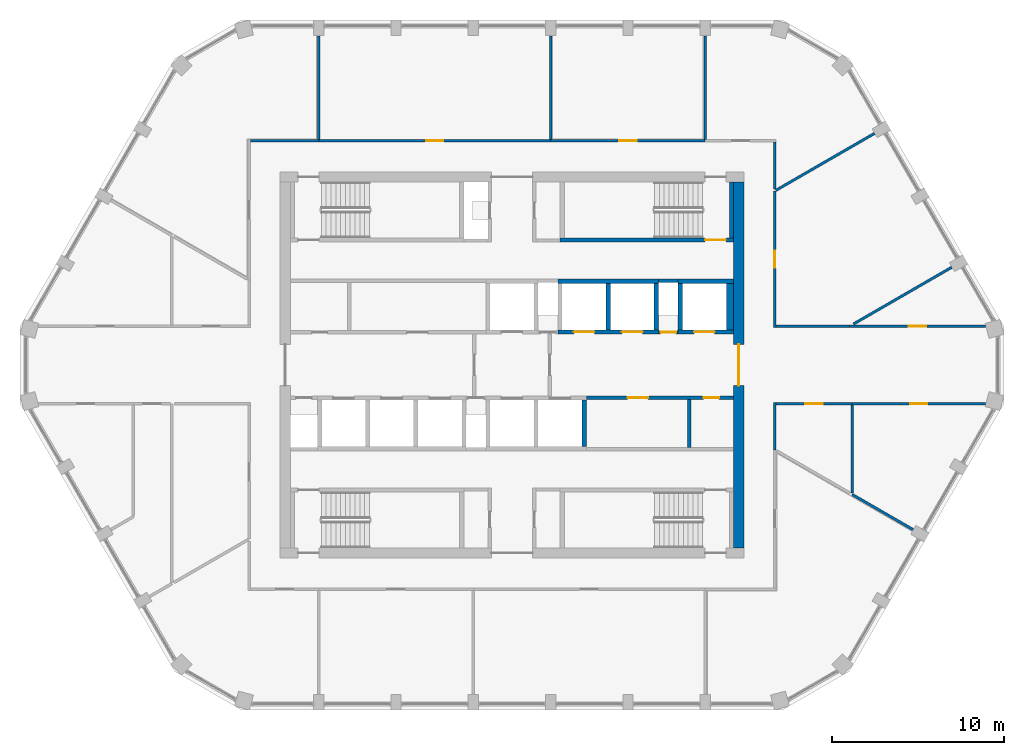
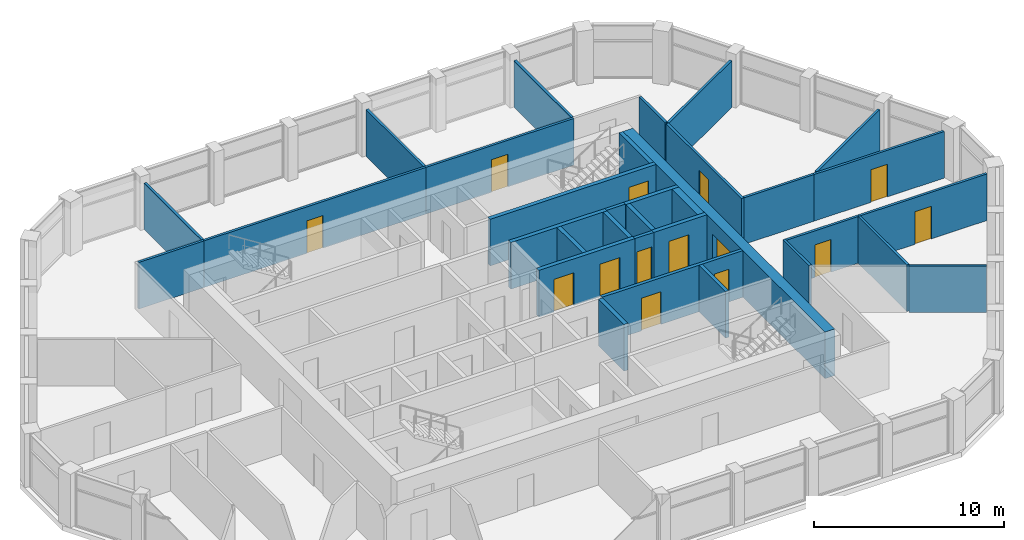
# One storey, part 11 of 15: 33 walls, 14 doors, 14 openings.
"""IFC4 building model written with IfcOpenShell, lengths in metres."""

from ifc_helpers import new_model, si_unit, direction, frame, frame_2d, origin, place, context, subcontext, project, spatial, polyline, rectangle, outline, extrude, material, layer, layer_set, type_object, element, fill, save


model = new_model("IFC4")

# Units and contexts
model_context = context("Model", 3, precision=1e-05, world=origin(), true_north=direction((0.0, 1.0)))
body_context = subcontext(model_context, "Body", "Model", "MODEL_VIEW")
ifc_project = project(units=[si_unit("LENGTHUNIT", "METRE"), si_unit("AREAUNIT", "SQUARE_METRE"), si_unit("VOLUMEUNIT", "CUBIC_METRE"), si_unit("PLANEANGLEUNIT", "RADIAN"), si_unit("MASSUNIT", "GRAM", prefix="KILO")], contexts=[model_context])

# Site, building, storey
site_placement = place(None, origin())
site = spatial("IfcSite", under=ifc_project, at=site_placement, CompositionType="ELEMENT")
building_placement = place(site_placement, origin())
building = spatial("IfcBuilding", under=site, at=building_placement, Name="Dhurran Vertical Campus", CompositionType="ELEMENT")
storey_placement = place(building_placement, frame((0.0, 0.0, 306.0)))
storey = spatial("IfcBuildingStorey", under=building, at=storey_placement, Name="L76", CompositionType="ELEMENT", Elevation=306.0)

# Wall, opening, door
ifc_material_1 = material(Name="Concrete C50/60", Category="concrete")
ifc_layer_1 = layer(ifc_material_1, 0.60009765625)
ifc_layer_set_1 = layer_set([ifc_layer_1], Name="Concrete C50/60")
wall_type_1 = type_object("IfcWallType", Name="co-CORE-WALL-C2-600", PredefinedType="SHEAR", material=ifc_layer_set_1)
wall_1_placement = place(storey_placement, frame((13.199951171875, -10.64990234375, 0.0), z_axis=(0.0, 0.0, 1.0), x_axis=(0.0, 1.0, 0.0)))
wall_1 = element("IfcWall", 1, at=wall_1_placement, inside=storey, type_object=wall_type_1, Name="Core wall E L76", PredefinedType="SHEAR", context=body_context, shape_type="SweptSolid", body=[
    extrude(rectangle(XDim=21.2998046875, YDim=0.60009765625, at=frame_2d((10.64990234375, 0.0))), origin(), (0.0, 0.0, 1.0), 3.0),
])
opening_1_placement = place(wall_1_placement, frame((9.449951171875, 0.0, 0.0)))
opening_1 = element("IfcOpeningElement", 2, at=opening_1_placement, cuts=wall_1, Name="Opening CL2", PredefinedType="OPENING", context=body_context, shape_type="SweptSolid", body=[
    extrude(rectangle(XDim=2.39990234375, YDim=2.10009765625, at=frame_2d((1.199951171875, 1.050048828125))), frame((0.0, 0.31005859375, 0.0), z_axis=(0.0, -1.0, 0.0), x_axis=(1.0, 0.0, 0.0)), (0.0, 0.0, 1.0), 0.6201171875),
])
ifc_material_2 = material(Name="Fire-rated glazed door set")
door_type_1 = type_object("IfcDoorType", Name="co-D-LOBBY 2400x2100", OperationType="DOUBLE_DOOR_DOUBLE_SWING", PredefinedType="DOOR", material=ifc_material_2)
door_1_placement = place(opening_1_placement, origin())
door_1 = element("IfcDoor", 3, at=door_1_placement, inside=storey, type_object=door_type_1, Name="Lift lobby door E L76", OperationType="DOUBLE_DOOR_DOUBLE_SWING", OverallHeight=2.10009765625, OverallWidth=2.39990234375, PredefinedType="DOOR", context=body_context, shape_type="SweptSolid", body=[
    extrude(rectangle(XDim=2.39990234375, YDim=2.10009765625, at=frame_2d((1.199951171875, 1.050048828125))), frame((0.0, 0.02490234375, 0.0), z_axis=(0.0, -1.0, 0.0), x_axis=(1.0, 0.0, 0.0)), (0.0, 0.0, 1.0), 0.050048828125),
])
fill(opening_1, door_1)

ifc_material_3 = material(Name="Fire-rated masonry blockwork", Category="masonry")
ifc_layer_2 = layer(ifc_material_3, 0.199951171875)
ifc_layer_set_2 = layer_set([ifc_layer_2], Name="Fire-rated masonry blockwork")
wall_type_2 = type_object("IfcWallType", Name="co-FIRE-PARTITION-200", PredefinedType="PARTITIONING", material=ifc_layer_set_2)
wall_2_placement = place(storey_placement, frame((8.52490234375, 1.89990234375, 0.0), z_axis=(0.0, 0.0, 1.0), x_axis=(1.0, 0.0, 0.0)))
wall_2 = element("IfcWall", 4, at=wall_2_placement, inside=storey, type_object=wall_type_2, Name="Core partition fr-N2-f L76", PredefinedType="PARTITIONING", context=body_context, shape_type="SweptSolid", body=[
    extrude(rectangle(XDim=1.150146484375, YDim=0.199951171875, at=frame_2d((0.5751953125, 0.0))), origin(), (0.0, 0.0, 1.0), 3.0),
])
opening_2_placement = place(wall_2_placement, frame((0.125, 0.0, 0.0)))
opening_2 = element("IfcOpeningElement", 5, at=opening_2_placement, cuts=wall_2, Name="Opening T22-C8", PredefinedType="OPENING", context=body_context, shape_type="SweptSolid", body=[
    extrude(rectangle(XDim=0.89990234375, YDim=2.10009765625, at=frame_2d((0.449951171875, 1.050048828125))), frame((0.0, 0.10986328125, 0.0), z_axis=(0.0, -1.0, 0.0), x_axis=(1.0, 0.0, 0.0)), (0.0, 0.0, 1.0), 0.219970703125),
])
ifc_material_4 = material(Name="Fire-rated timber door set", Category="wood")
door_type_2 = type_object("IfcDoorType", Name="co-D-ROOM 900x2100", OperationType="SINGLE_SWING_LEFT", PredefinedType="DOOR", material=ifc_material_4)
door_2_placement = place(opening_2_placement, origin())
door_2 = element("IfcDoor", 6, at=door_2_placement, inside=storey, type_object=door_type_2, Name="Communications riser door L76", OperationType="SINGLE_SWING_LEFT", OverallHeight=2.10009765625, OverallWidth=0.89990234375, PredefinedType="DOOR", context=body_context, shape_type="SweptSolid", body=[
    extrude(rectangle(XDim=0.89990234375, YDim=2.10009765625, at=frame_2d((0.449951171875, 1.050048828125))), frame((0.0, 0.02490234375, 0.0), z_axis=(0.0, -1.0, 0.0), x_axis=(1.0, 0.0, 0.0)), (0.0, 0.0, 1.0), 0.050048828125),
])
fill(opening_2, door_2)

# Walls
wall_3_placement = place(storey_placement, frame((8.52490234375, 4.89990234375, 0.0), z_axis=(0.0, 0.0, 1.0), x_axis=(1.0, 0.0, 0.0)))
element("IfcWall", 7, at=wall_3_placement, inside=storey, type_object=wall_type_2, Name="Core partition fr-N2-b L76", PredefinedType="PARTITIONING", context=body_context, shape_type="SweptSolid", body=[
    extrude(rectangle(XDim=1.150146484375, YDim=0.199951171875, at=frame_2d((0.5751953125, 0.0))), origin(), (0.0, 0.0, 1.0), 3.0),
])
wall_4_placement = place(storey_placement, frame((10.327392578125, -4.800048828125, 0.0), z_axis=(0.0, 0.0, 1.0), x_axis=(0.0, 1.0, 0.0)))
element("IfcWall", 8, at=wall_4_placement, inside=storey, type_object=wall_type_2, Name="Core partition fr-S2-cut0 L76", PredefinedType="PARTITIONING", context=body_context, shape_type="SweptSolid", body=[
    extrude(rectangle(XDim=2.800048828125, YDim=0.199951171875, at=frame_2d((1.39990234375, 0.0))), origin(), (0.0, 0.0, 1.0), 3.0),
])

# Wall, openings, doors
wall_5_placement = place(storey_placement, frame((4.324951171875, -1.89990234375, 0.0), z_axis=(0.0, 0.0, 1.0), x_axis=(1.0, 0.0, 0.0)))
wall_5 = element("IfcWall", 9, at=wall_5_placement, inside=storey, type_object=wall_type_2, Name="Core partition fr-S2-f L76", PredefinedType="PARTITIONING", context=body_context, shape_type="SweptSolid", body=[
    extrude(rectangle(XDim=8.574951171875, YDim=0.199951171875, at=frame_2d((4.28759765625, 0.0))), origin(), (0.0, 0.0, 1.0), 3.0),
])
opening_3_placement = place(wall_5_placement, frame((2.4013671875, 0.0, 0.0)))
opening_3 = element("IfcOpeningElement", 10, at=opening_3_placement, cuts=wall_5, Name="Opening T22-C11", PredefinedType="OPENING", context=body_context, shape_type="SweptSolid", body=[
    extrude(rectangle(XDim=1.199951171875, YDim=2.10009765625, at=frame_2d((0.60009765625, 1.050048828125))), frame((0.0, 0.10986328125, 0.0), z_axis=(0.0, -1.0, 0.0), x_axis=(1.0, 0.0, 0.0)), (0.0, 0.0, 1.0), 0.219970703125),
])
opening_4_placement = place(wall_5_placement, frame((6.8388671875, 0.0, 0.0)))
opening_4 = element("IfcOpeningElement", 11, at=opening_4_placement, cuts=wall_5, Name="Opening T22-C12", PredefinedType="OPENING", context=body_context, shape_type="SweptSolid", body=[
    extrude(rectangle(XDim=0.89990234375, YDim=2.10009765625, at=frame_2d((0.449951171875, 1.050048828125))), frame((0.0, 0.10986328125, 0.0), z_axis=(0.0, -1.0, 0.0), x_axis=(1.0, 0.0, 0.0)), (0.0, 0.0, 1.0), 0.219970703125),
])
door_3_placement = place(opening_4_placement, origin())
door_3 = element("IfcDoor", 12, at=door_3_placement, inside=storey, type_object=door_type_2, Name="Server room door L76", OperationType="SINGLE_SWING_LEFT", OverallHeight=2.10009765625, OverallWidth=0.89990234375, PredefinedType="DOOR", context=body_context, shape_type="SweptSolid", body=[
    extrude(rectangle(XDim=0.89990234375, YDim=2.10009765625, at=frame_2d((0.449951171875, 1.050048828125))), frame((0.0, 0.02490234375, 0.0), z_axis=(0.0, -1.0, 0.0), x_axis=(1.0, 0.0, 0.0)), (0.0, 0.0, 1.0), 0.050048828125),
])
fill(opening_4, door_3)
ifc_material_5 = material(Name="Fire-rated steel door set", Category="steel")
door_type_3 = type_object("IfcDoorType", Name="co-D-ROOM-PASSAGE 1200x2100", OperationType="SINGLE_SWING_RIGHT", PredefinedType="DOOR", material=ifc_material_5)
door_4_placement = place(opening_3_placement, origin())
door_4 = element("IfcDoor", 13, at=door_4_placement, inside=storey, type_object=door_type_3, Name="Store door L76", OperationType="SINGLE_SWING_RIGHT", OverallHeight=2.10009765625, OverallWidth=1.199951171875, PredefinedType="DOOR", context=body_context, shape_type="SweptSolid", body=[
    extrude(rectangle(XDim=1.199951171875, YDim=2.10009765625, at=frame_2d((0.60009765625, 1.050048828125))), frame((0.0, 0.02490234375, 0.0), z_axis=(0.0, -1.0, 0.0), x_axis=(1.0, 0.0, 0.0)), (0.0, 0.0, 1.0), 0.050048828125),
])
fill(opening_3, door_4)

ifc_material_6 = material(Name="Concrete C50/60", Category="concrete")
ifc_layer_3 = layer(ifc_material_6, 0.25)
ifc_layer_set_3 = layer_set([ifc_layer_3], Name="Concrete C50/60")
wall_type_3 = type_object("IfcWallType", Name="co-SHAFT-FRONT-250", PredefinedType="SHEAR", material=ifc_layer_set_3)
wall_6_placement = place(storey_placement, frame((2.675048828125, 1.925048828125, 0.0), z_axis=(0.0, 0.0, 1.0), x_axis=(1.0, 0.0, 0.0)))
wall_6 = element("IfcWall", 14, at=wall_6_placement, inside=storey, type_object=wall_type_3, Name="Lift landing wall N L76", PredefinedType="SHEAR", context=body_context, shape_type="SweptSolid", body=[
    extrude(rectangle(XDim=5.849853515625, YDim=0.25, at=frame_2d((2.9248046875, 0.0))), origin(), (0.0, 0.0, 1.0), 3.0),
])
opening_5_placement = place(wall_6_placement, frame((0.925048828125, 0.0, 0.0)))
opening_5 = element("IfcOpeningElement", 15, at=opening_5_placement, cuts=wall_6, Name="Opening LD", PredefinedType="OPENING", context=body_context, shape_type="SweptSolid", body=[
    extrude(rectangle(XDim=1.199951171875, YDim=2.10009765625, at=frame_2d((0.60009765625, 1.050048828125))), frame((0.0, 0.135009765625, 0.0), z_axis=(0.0, -1.0, 0.0), x_axis=(1.0, 0.0, 0.0)), (0.0, 0.0, 1.0), 0.27001953125),
])
opening_6_placement = place(wall_6_placement, frame((3.72509765625, 0.0, 0.0)))
opening_6 = element("IfcOpeningElement", 16, at=opening_6_placement, cuts=wall_6, Name="Opening LD", PredefinedType="OPENING", context=body_context, shape_type="SweptSolid", body=[
    extrude(rectangle(XDim=1.199951171875, YDim=2.10009765625, at=frame_2d((0.60009765625, 1.050048828125))), frame((0.0, 0.135009765625, 0.0), z_axis=(0.0, -1.0, 0.0), x_axis=(1.0, 0.0, 0.0)), (0.0, 0.0, 1.0), 0.27001953125),
])
ifc_material_7 = material(Name="Stainless steel landing door", Category="steel")
door_type_4 = type_object("IfcDoorType", Name="co-D-LANDING 1200x2100", OperationType="DOUBLE_DOOR_SLIDING", PredefinedType="DOOR", material=ifc_material_7)
door_5_placement = place(opening_5_placement, origin())
door_5 = element("IfcDoor", 17, at=door_5_placement, inside=storey, type_object=door_type_4, Name="Landing door HR1 L76", OperationType="DOUBLE_DOOR_SLIDING", OverallHeight=2.10009765625, OverallWidth=1.199951171875, PredefinedType="DOOR", context=body_context, shape_type="SweptSolid", body=[
    extrude(rectangle(XDim=1.199951171875, YDim=2.10009765625, at=frame_2d((0.60009765625, 1.050048828125))), frame((0.0, 0.02490234375, 0.0), z_axis=(0.0, -1.0, 0.0), x_axis=(1.0, 0.0, 0.0)), (0.0, 0.0, 1.0), 0.050048828125),
])
fill(opening_5, door_5)
door_6_placement = place(opening_6_placement, origin())
door_6 = element("IfcDoor", 18, at=door_6_placement, inside=storey, type_object=door_type_4, Name="Landing door HR2 L76", OperationType="DOUBLE_DOOR_SLIDING", OverallHeight=2.10009765625, OverallWidth=1.199951171875, PredefinedType="DOOR", context=body_context, shape_type="SweptSolid", body=[
    extrude(rectangle(XDim=1.199951171875, YDim=2.10009765625, at=frame_2d((0.60009765625, 1.050048828125))), frame((0.0, 0.02490234375, 0.0), z_axis=(0.0, -1.0, 0.0), x_axis=(1.0, 0.0, 0.0)), (0.0, 0.0, 1.0), 0.050048828125),
])
fill(opening_6, door_6)

# Wall, opening, door
wall_7_placement = place(storey_placement, frame((9.675048828125, 1.925048828125, 0.0), z_axis=(0.0, 0.0, 1.0), x_axis=(1.0, 0.0, 0.0)))
wall_7 = element("IfcWall", 19, at=wall_7_placement, inside=storey, type_object=wall_type_3, Name="Lift landing wall N L76", PredefinedType="SHEAR", context=body_context, shape_type="SweptSolid", body=[
    extrude(rectangle(XDim=3.224853515625, YDim=0.25, at=frame_2d((1.6123046875, 0.0))), origin(), (0.0, 0.0, 1.0), 3.0),
])
opening_7_placement = place(wall_7_placement, frame((0.925048828125, 0.0, 0.0)))
opening_7 = element("IfcOpeningElement", 20, at=opening_7_placement, cuts=wall_7, Name="Opening LD", PredefinedType="OPENING", context=body_context, shape_type="SweptSolid", body=[
    extrude(rectangle(XDim=1.199951171875, YDim=2.10009765625, at=frame_2d((0.60009765625, 1.050048828125))), frame((0.0, 0.135009765625, 0.0), z_axis=(0.0, -1.0, 0.0), x_axis=(1.0, 0.0, 0.0)), (0.0, 0.0, 1.0), 0.27001953125),
])
door_7_placement = place(opening_7_placement, origin())
door_7 = element("IfcDoor", 21, at=door_7_placement, inside=storey, type_object=door_type_4, Name="Landing door SV2 L76", OperationType="DOUBLE_DOOR_SLIDING", OverallHeight=2.10009765625, OverallWidth=1.199951171875, PredefinedType="DOOR", context=body_context, shape_type="SweptSolid", body=[
    extrude(rectangle(XDim=1.199951171875, YDim=2.10009765625, at=frame_2d((0.60009765625, 1.050048828125))), frame((0.0, 0.02490234375, 0.0), z_axis=(0.0, -1.0, 0.0), x_axis=(1.0, 0.0, 0.0)), (0.0, 0.0, 1.0), 0.050048828125),
])
fill(opening_7, door_7)

# Walls
ifc_material_8 = material(Name="Concrete C50/60", Category="concrete")
ifc_layer_4 = layer(ifc_material_8, 0.25)
ifc_layer_set_4 = layer_set([ifc_layer_4], Name="Concrete C50/60")
wall_type_4 = type_object("IfcWallType", Name="co-SHAFT-MASS-250", PredefinedType="SHEAR", material=ifc_layer_set_4)
wall_8_placement = place(storey_placement, origin())
element("IfcWall", 22, at=wall_8_placement, inside=storey, type_object=wall_type_4, Name="Lift shaft wall N L76 2", PredefinedType="SHEAR", context=body_context, shape_type="SweptSolid", body=[
    extrude(outline(polyline([(2.675048828125, 4.75), (8.52490234375, 4.75), (8.52490234375, 5.0), (2.675048828125, 5.0), (2.675048828125, 4.75)])), origin(), (0.0, 0.0, 1.0), 3.0),
])
wall_9_placement = place(storey_placement, origin())
element("IfcWall", 23, at=wall_9_placement, inside=storey, type_object=wall_type_4, Name="Lift shaft wall N L76 3", PredefinedType="SHEAR", context=body_context, shape_type="SweptSolid", body=[
    extrude(outline(polyline([(9.675048828125, 4.75), (12.89990234375, 4.75), (12.89990234375, 5.0), (9.675048828125, 5.0), (9.675048828125, 4.75)])), origin(), (0.0, 0.0, 1.0), 3.0),
])
wall_10_placement = place(storey_placement, origin())
element("IfcWall", 24, at=wall_10_placement, inside=storey, type_object=wall_type_4, Name="Lift shaft wall N L76 7", PredefinedType="SHEAR", context=body_context, shape_type="SweptSolid", body=[
    extrude(outline(polyline([(5.47509765625, 2.050048828125), (5.72509765625, 2.050048828125), (5.72509765625, 4.75), (5.47509765625, 4.75), (5.47509765625, 2.050048828125)])), origin(), (0.0, 0.0, 1.0), 3.0),
])
wall_11_placement = place(storey_placement, origin())
element("IfcWall", 25, at=wall_11_placement, inside=storey, type_object=wall_type_4, Name="Lift shaft wall N L76 8", PredefinedType="SHEAR", context=body_context, shape_type="SweptSolid", body=[
    extrude(outline(polyline([(8.27490234375, 2.050048828125), (8.52490234375, 2.050048828125), (8.52490234375, 4.75), (8.27490234375, 4.75), (8.27490234375, 2.050048828125)])), origin(), (0.0, 0.0, 1.0), 3.0),
])
wall_12_placement = place(storey_placement, origin())
element("IfcWall", 26, at=wall_12_placement, inside=storey, type_object=wall_type_4, Name="Lift shaft wall N L76 9", PredefinedType="SHEAR", context=body_context, shape_type="SweptSolid", body=[
    extrude(outline(polyline([(9.675048828125, 2.050048828125), (9.925048828125, 2.050048828125), (9.925048828125, 4.75), (9.675048828125, 4.75), (9.675048828125, 2.050048828125)])), origin(), (0.0, 0.0, 1.0), 3.0),
])
wall_13_placement = place(storey_placement, origin())
element("IfcWall", 27, at=wall_13_placement, inside=storey, type_object=wall_type_4, Name="Lift shaft wall N L76 10", PredefinedType="SHEAR", context=body_context, shape_type="SweptSolid", body=[
    extrude(outline(polyline([(12.47509765625, 2.050048828125), (12.89990234375, 2.050048828125), (12.89990234375, 4.75), (12.47509765625, 4.75), (12.47509765625, 2.050048828125)])), origin(), (0.0, 0.0, 1.0), 3.0),
])
wall_14_placement = place(storey_placement, origin())
element("IfcWall", 28, at=wall_14_placement, inside=storey, type_object=wall_type_4, Name="Lift shaft wall S L76 9", PredefinedType="SHEAR", context=body_context, shape_type="SweptSolid", body=[
    extrude(outline(polyline([(4.074951171875, -4.75), (4.324951171875, -4.75), (4.324951171875, -2.050048828125), (4.074951171875, -2.050048828125), (4.074951171875, -4.75)])), origin(), (0.0, 0.0, 1.0), 3.0),
])

# Wall, opening, door
ifc_material_9 = material(Name="Concrete C40/50", Category="concrete")
ifc_layer_5 = layer(ifc_material_9, 0.25)
ifc_layer_set_5 = layer_set([ifc_layer_5], Name="Concrete C40/50")
wall_type_5 = type_object("IfcWallType", Name="co-STAIR-WALL-250", PredefinedType="SHEAR", material=ifc_layer_set_5)
wall_15_placement = place(storey_placement, frame((2.800048828125, 7.27490234375, 0.0), z_axis=(0.0, 0.0, 1.0), x_axis=(1.0, 0.0, 0.0)))
wall_15 = element("IfcWall", 29, at=wall_15_placement, inside=storey, type_object=wall_type_5, Name="Stair ST2 enclosure wall L76", PredefinedType="SHEAR", context=body_context, shape_type="SweptSolid", body=[
    extrude(rectangle(XDim=10.099853515625, YDim=0.25, at=frame_2d((5.0498046875, 0.0))), origin(), (0.0, 0.0, 1.0), 3.0),
])
opening_8_placement = place(wall_15_placement, frame((8.449951171875, 0.0, 0.0)))
opening_8 = element("IfcOpeningElement", 30, at=opening_8_placement, cuts=wall_15, Name="Opening SD2", PredefinedType="OPENING", context=body_context, shape_type="SweptSolid", body=[
    extrude(rectangle(XDim=1.199951171875, YDim=2.10009765625, at=frame_2d((0.60009765625, 1.050048828125))), frame((0.0, 0.135009765625, 0.0), z_axis=(0.0, -1.0, 0.0), x_axis=(1.0, 0.0, 0.0)), (0.0, 0.0, 1.0), 0.27001953125),
])
ifc_material_10 = material(Name="Fire-rated steel door set", Category="steel")
door_type_5 = type_object("IfcDoorType", Name="co-D-STAIR 1200x2100", OperationType="SINGLE_SWING_LEFT", PredefinedType="DOOR", material=ifc_material_10)
door_8_placement = place(opening_8_placement, origin())
door_8 = element("IfcDoor", 31, at=door_8_placement, inside=storey, type_object=door_type_5, Name="Stair ST2 door L76", OperationType="SINGLE_SWING_LEFT", OverallHeight=2.10009765625, OverallWidth=1.199951171875, PredefinedType="DOOR", context=body_context, shape_type="SweptSolid", body=[
    extrude(rectangle(XDim=1.199951171875, YDim=2.10009765625, at=frame_2d((0.60009765625, 1.050048828125))), frame((0.0, 0.02490234375, 0.0), z_axis=(0.0, -1.0, 0.0), x_axis=(1.0, 0.0, 0.0)), (0.0, 0.0, 1.0), 0.050048828125),
])
fill(opening_8, door_8)

# Walls
wall_16_placement = place(storey_placement, frame((12.77490234375, 7.39990234375, 0.0), z_axis=(0.0, 0.0, 1.0), x_axis=(0.0, 1.0, 0.0)))
element("IfcWall", 32, at=wall_16_placement, inside=storey, type_object=wall_type_5, Name="Stair ST2 enclosure wall L76", PredefinedType="SHEAR", context=body_context, shape_type="SweptSolid", body=[
    extrude(rectangle(XDim=3.25, YDim=0.25, at=frame_2d((1.625, 0.0))), origin(), (0.0, 0.0, 1.0), 3.0),
])
ifc_material_11 = material(Name="Gypsum board corridor wall on steel studs", Category="steel")
ifc_layer_6 = layer(ifc_material_11, 0.14990234375)
ifc_layer_set_6 = layer_set([ifc_layer_6], Name="Gypsum board corridor wall on steel studs")
wall_type_6 = type_object("IfcWallType", Name="fl-CW-150 corridor wall", PredefinedType="PARTITIONING", material=ifc_layer_set_6)
wall_17_placement = place(storey_placement, frame((-11.25, 13.050048828125, 0.0), z_axis=(0.0, 0.0, 1.0), x_axis=(-1.0, 0.0, 0.0)))
element("IfcWall", 33, at=wall_17_placement, inside=storey, type_object=wall_type_6, Name="Partition 76-19", PredefinedType="PARTITIONING", context=body_context, shape_type="SweptSolid", body=[
    extrude(rectangle(XDim=3.97509765625, YDim=0.14990234375, at=frame_2d((1.987548828125, 0.0))), origin(), (0.0, 0.0, 1.0), 3.0),
])

# Wall, opening, door
wall_18_placement = place(storey_placement, frame((2.25, 13.050048828125, 0.0), z_axis=(0.0, 0.0, 1.0), x_axis=(-1.0, 0.0, 0.0)))
wall_18 = element("IfcWall", 34, at=wall_18_placement, inside=storey, type_object=wall_type_6, Name="Partition 76-23", PredefinedType="PARTITIONING", context=body_context, shape_type="SweptSolid", body=[
    extrude(rectangle(XDim=13.5, YDim=0.14990234375, at=frame_2d((6.75, 0.0))), origin(), (0.0, 0.0, 1.0), 3.0),
])
opening_9_placement = place(wall_18_placement, frame((6.25, 0.0, 0.0)))
opening_9 = element("IfcOpeningElement", 35, at=opening_9_placement, cuts=wall_18, Name="Opening T22.09", PredefinedType="OPENING", context=body_context, shape_type="SweptSolid", body=[
    extrude(rectangle(XDim=1.0, YDim=2.10009765625, at=frame_2d((0.5, 1.050048828125))), frame((0.0, 0.0849609375, 0.0), z_axis=(0.0, -1.0, 0.0), x_axis=(1.0, 0.0, 0.0)), (0.0, 0.0, 1.0), 0.169921875),
])
ifc_material_12 = material(Name="Solid-core timber door set, fire-rated", Category="wood")
door_type_6 = type_object("IfcDoorType", Name="fl-D-1000x2100", OperationType="SINGLE_SWING_LEFT", PredefinedType="DOOR", material=ifc_material_12)
door_9_placement = place(opening_9_placement, origin())
door_9 = element("IfcDoor", 36, at=door_9_placement, inside=storey, type_object=door_type_6, Name="Door 76.09", OperationType="SINGLE_SWING_RIGHT", OverallHeight=2.10009765625, OverallWidth=1.0, PredefinedType="DOOR", context=body_context, shape_type="SweptSolid", body=[
    extrude(rectangle(XDim=1.0, YDim=2.10009765625, at=frame_2d((0.5, 1.050048828125))), frame((0.0, 0.02490234375, 0.0), z_axis=(0.0, -1.0, 0.0), x_axis=(1.0, 0.0, 0.0)), (0.0, 0.0, 1.0), 0.050048828125),
])
fill(opening_9, door_9)

wall_19_placement = place(storey_placement, frame((11.25, 13.050048828125, 0.0), z_axis=(0.0, 0.0, 1.0), x_axis=(-1.0, 0.0, 0.0)))
wall_19 = element("IfcWall", 37, at=wall_19_placement, inside=storey, type_object=wall_type_6, Name="Partition 76-27", PredefinedType="PARTITIONING", context=body_context, shape_type="SweptSolid", body=[
    extrude(rectangle(XDim=9.0, YDim=0.14990234375, at=frame_2d((4.5, 0.0))), origin(), (0.0, 0.0, 1.0), 3.0),
])
opening_10_placement = place(wall_19_placement, frame((4.0, 0.0, 0.0)))
opening_10 = element("IfcOpeningElement", 38, at=opening_10_placement, cuts=wall_19, Name="Opening T22.11", PredefinedType="OPENING", context=body_context, shape_type="SweptSolid", body=[
    extrude(rectangle(XDim=1.0, YDim=2.10009765625, at=frame_2d((0.5, 1.050048828125))), frame((0.0, 0.0849609375, 0.0), z_axis=(0.0, -1.0, 0.0), x_axis=(1.0, 0.0, 0.0)), (0.0, 0.0, 1.0), 0.169921875),
])
door_10_placement = place(opening_10_placement, origin())
door_10 = element("IfcDoor", 39, at=door_10_placement, inside=storey, type_object=door_type_6, Name="Door 76.11", OperationType="SINGLE_SWING_LEFT", OverallHeight=2.10009765625, OverallWidth=1.0, PredefinedType="DOOR", context=body_context, shape_type="SweptSolid", body=[
    extrude(rectangle(XDim=1.0, YDim=2.10009765625, at=frame_2d((0.5, 1.050048828125))), frame((0.0, 0.02490234375, 0.0), z_axis=(0.0, -1.0, 0.0), x_axis=(1.0, 0.0, 0.0)), (0.0, 0.0, 1.0), 0.050048828125),
])
fill(opening_10, door_10)

# Wall
wall_20_placement = place(storey_placement, frame((15.300048828125, -4.93603515625, 0.0), z_axis=(0.0, 0.0, 1.0), x_axis=(0.0, 1.0, 0.0)))
element("IfcWall", 40, at=wall_20_placement, inside=storey, type_object=wall_type_6, Name="Partition 76-33", PredefinedType="PARTITIONING", context=body_context, shape_type="SweptSolid", body=[
    extrude(rectangle(XDim=2.760986328125, YDim=0.14990234375, at=frame_2d((1.38037109375, 0.0))), origin(), (0.0, 0.0, 1.0), 3.0),
])

# Wall, opening, door
wall_21_placement = place(storey_placement, frame((19.800048828125, -2.25, 0.0), z_axis=(0.0, 0.0, 1.0), x_axis=(-1.0, 0.0, 0.0)))
wall_21 = element("IfcWall", 41, at=wall_21_placement, inside=storey, type_object=wall_type_6, Name="Partition 76-35", PredefinedType="PARTITIONING", context=body_context, shape_type="SweptSolid", body=[
    extrude(rectangle(XDim=4.425048828125, YDim=0.14990234375, at=frame_2d((2.21240234375, 0.0))), origin(), (0.0, 0.0, 1.0), 3.0),
])
opening_11_placement = place(wall_21_placement, frame((1.71240234375, 0.0, 0.0)))
opening_11 = element("IfcOpeningElement", 42, at=opening_11_placement, cuts=wall_21, Name="Opening T22.14", PredefinedType="OPENING", context=body_context, shape_type="SweptSolid", body=[
    extrude(rectangle(XDim=1.0, YDim=2.10009765625, at=frame_2d((0.5, 1.050048828125))), frame((0.0, 0.0849609375, 0.0), z_axis=(0.0, -1.0, 0.0), x_axis=(1.0, 0.0, 0.0)), (0.0, 0.0, 1.0), 0.169921875),
])
door_11_placement = place(opening_11_placement, origin())
door_11 = element("IfcDoor", 43, at=door_11_placement, inside=storey, type_object=door_type_6, Name="Door 76.14", OperationType="SINGLE_SWING_RIGHT", OverallHeight=2.10009765625, OverallWidth=1.0, PredefinedType="DOOR", context=body_context, shape_type="SweptSolid", body=[
    extrude(rectangle(XDim=1.0, YDim=2.10009765625, at=frame_2d((0.5, 1.050048828125))), frame((0.0, 0.02490234375, 0.0), z_axis=(0.0, -1.0, 0.0), x_axis=(1.0, 0.0, 0.0)), (0.0, 0.0, 1.0), 0.050048828125),
])
fill(opening_11, door_11)

wall_22_placement = place(storey_placement, frame((15.300048828125, 2.175048828125, 0.0), z_axis=(0.0, 0.0, 1.0), x_axis=(0.0, 1.0, 0.0)))
wall_22 = element("IfcWall", 44, at=wall_22_placement, inside=storey, type_object=wall_type_6, Name="Partition 76-36", PredefinedType="PARTITIONING", context=body_context, shape_type="SweptSolid", body=[
    extrude(rectangle(XDim=7.95703125, YDim=0.14990234375, at=frame_2d((3.978515625, 0.0))), origin(), (0.0, 0.0, 1.0), 3.0),
])
opening_12_placement = place(wall_22_placement, frame((3.478515625, 0.0, 0.0)))
opening_12 = element("IfcOpeningElement", 45, at=opening_12_placement, cuts=wall_22, Name="Opening T22.15", PredefinedType="OPENING", context=body_context, shape_type="SweptSolid", body=[
    extrude(rectangle(XDim=1.0, YDim=2.10009765625, at=frame_2d((0.5, 1.050048828125))), frame((0.0, 0.0849609375, 0.0), z_axis=(0.0, -1.0, 0.0), x_axis=(1.0, 0.0, 0.0)), (0.0, 0.0, 1.0), 0.169921875),
])
door_12_placement = place(opening_12_placement, origin())
door_12 = element("IfcDoor", 46, at=door_12_placement, inside=storey, type_object=door_type_6, Name="Door 76.15", OperationType="SINGLE_SWING_RIGHT", OverallHeight=2.10009765625, OverallWidth=1.0, PredefinedType="DOOR", context=body_context, shape_type="SweptSolid", body=[
    extrude(rectangle(XDim=1.0, YDim=2.10009765625, at=frame_2d((0.5, 1.050048828125))), frame((0.0, 0.02490234375, 0.0), z_axis=(0.0, -1.0, 0.0), x_axis=(1.0, 0.0, 0.0)), (0.0, 0.0, 1.0), 0.050048828125),
])
fill(opening_12, door_12)

# Walls
wall_23_placement = place(storey_placement, frame((15.375, 2.25, 0.0), z_axis=(0.0, 0.0, 1.0), x_axis=(1.0, 0.0, 0.0)))
element("IfcWall", 47, at=wall_23_placement, inside=storey, type_object=wall_type_6, Name="Partition 76-37", PredefinedType="PARTITIONING", context=body_context, shape_type="SweptSolid", body=[
    extrude(rectangle(XDim=4.27197265625, YDim=0.14990234375, at=frame_2d((2.135986328125, 0.0))), origin(), (0.0, 0.0, 1.0), 3.0),
])
wall_24_placement = place(storey_placement, frame((15.300048828125, 10.261962890625, 0.0), z_axis=(0.0, 0.0, 1.0), x_axis=(0.0, 1.0, 0.0)))
element("IfcWall", 48, at=wall_24_placement, inside=storey, type_object=wall_type_6, Name="Partition 76-38", PredefinedType="PARTITIONING", context=body_context, shape_type="SweptSolid", body=[
    extrude(rectangle(XDim=2.713134765625, YDim=0.14990234375, at=frame_2d((1.3564453125, 0.0))), origin(), (0.0, 0.0, 1.0), 3.0),
])

# Wall, opening, door
wall_25_placement = place(storey_placement, frame((19.64697265625, 2.25, 0.0), z_axis=(0.0, 0.0, 1.0), x_axis=(1.0, 0.0, 0.0)))
wall_25 = element("IfcWall", 49, at=wall_25_placement, inside=storey, type_object=wall_type_6, Name="Partition 76-41", PredefinedType="PARTITIONING", context=body_context, shape_type="SweptSolid", body=[
    extrude(rectangle(XDim=7.9228515625, YDim=0.14990234375, at=frame_2d((3.96142578125, 0.0))), origin(), (0.0, 0.0, 1.0), 3.0),
])
opening_13_placement = place(wall_25_placement, frame((3.46142578125, 0.0, 0.0)))
opening_13 = element("IfcOpeningElement", 50, at=opening_13_placement, cuts=wall_25, Name="Opening T22.17", PredefinedType="OPENING", context=body_context, shape_type="SweptSolid", body=[
    extrude(rectangle(XDim=1.0, YDim=2.10009765625, at=frame_2d((0.5, 1.050048828125))), frame((0.0, 0.0849609375, 0.0), z_axis=(0.0, -1.0, 0.0), x_axis=(1.0, 0.0, 0.0)), (0.0, 0.0, 1.0), 0.169921875),
])
door_13_placement = place(opening_13_placement, origin())
door_13 = element("IfcDoor", 51, at=door_13_placement, inside=storey, type_object=door_type_6, Name="Door 76.17", OperationType="SINGLE_SWING_RIGHT", OverallHeight=2.10009765625, OverallWidth=1.0, PredefinedType="DOOR", context=body_context, shape_type="SweptSolid", body=[
    extrude(rectangle(XDim=1.0, YDim=2.10009765625, at=frame_2d((0.5, 1.050048828125))), frame((0.0, 0.02490234375, 0.0), z_axis=(0.0, -1.0, 0.0), x_axis=(1.0, 0.0, 0.0)), (0.0, 0.0, 1.0), 0.050048828125),
])
fill(opening_13, door_13)

wall_26_placement = place(storey_placement, frame((27.56982421875, -2.25, 0.0), z_axis=(0.0, 0.0, 1.0), x_axis=(-1.0, 0.0, 0.0)))
wall_26 = element("IfcWall", 52, at=wall_26_placement, inside=storey, type_object=wall_type_6, Name="Partition 76-44", PredefinedType="PARTITIONING", context=body_context, shape_type="SweptSolid", body=[
    extrude(rectangle(XDim=7.769775390625, YDim=0.14990234375, at=frame_2d((3.884765625, 0.0))), origin(), (0.0, 0.0, 1.0), 3.0),
])
opening_14_placement = place(wall_26_placement, frame((3.385009765625, 0.0, 0.0)))
opening_14 = element("IfcOpeningElement", 53, at=opening_14_placement, cuts=wall_26, Name="Opening T22.16", PredefinedType="OPENING", context=body_context, shape_type="SweptSolid", body=[
    extrude(rectangle(XDim=1.0, YDim=2.10009765625, at=frame_2d((0.5, 1.050048828125))), frame((0.0, 0.0849609375, 0.0), z_axis=(0.0, -1.0, 0.0), x_axis=(1.0, 0.0, 0.0)), (0.0, 0.0, 1.0), 0.169921875),
])
door_14_placement = place(opening_14_placement, origin())
door_14 = element("IfcDoor", 54, at=door_14_placement, inside=storey, type_object=door_type_6, Name="Door 76.16", OperationType="SINGLE_SWING_LEFT", OverallHeight=2.10009765625, OverallWidth=1.0, PredefinedType="DOOR", context=body_context, shape_type="SweptSolid", body=[
    extrude(rectangle(XDim=1.0, YDim=2.10009765625, at=frame_2d((0.5, 1.050048828125))), frame((0.0, 0.02490234375, 0.0), z_axis=(0.0, -1.0, 0.0), x_axis=(1.0, 0.0, 0.0)), (0.0, 0.0, 1.0), 0.050048828125),
])
fill(opening_14, door_14)

# Walls
ifc_material_13 = material(Name="Gypsum board partition on steel studs", Category="steel")
ifc_layer_7 = layer(ifc_material_13, 0.14990234375)
ifc_layer_set_7 = layer_set([ifc_layer_7], Name="Gypsum board partition on steel studs")
wall_type_7 = type_object("IfcWallType", Name="fl-PW-150 fixed partition", PredefinedType="PARTITIONING", material=ifc_layer_set_7)
for number, where, z_axis, x_axis, name in (
    (55, (-11.25, 19.16845703125, 0.0), (0.0, 0.0, 1.0), (0.0, -1.0, 0.0), "Partition 76-22"),
    (56, (2.25, 19.16845703125, 0.0), (0.0, 0.0, 1.0), (0.0, -1.0, 0.0), "Partition 76-26"),
    (57, (11.25, 19.16845703125, 0.0), (0.0, 0.0, 1.0), (0.0, -1.0, 0.0), "Partition 76-30"),
):
    element("IfcWall", number, at=place(storey_placement, frame(where, z_axis=z_axis, x_axis=x_axis)), inside=storey, type_object=wall_type_7, Name=name, PredefinedType="PARTITIONING", context=body_context, shape_type="SweptSolid", body=[
        extrude(rectangle(XDim=6.04345703125, YDim=0.14990234375, at=frame_2d((3.021728515625, 0.0))), origin(), (0.0, 0.0, 1.0), 3.0),
    ])
wall_27_placement = place(storey_placement, frame((21.100341796875, 13.481201171875, 0.0), z_axis=(0.0, 0.0, 1.0), x_axis=(-0.865995273703, -0.500052183202, 0.0)))
element("IfcWall", 58, at=wall_27_placement, inside=storey, type_object=wall_type_7, Name="Partition 76-39", PredefinedType="PARTITIONING", context=body_context, shape_type="SweptSolid", body=[
    extrude(rectangle(XDim=6.622802734375, YDim=0.14990234375, at=frame_2d((3.3115234375, 0.0))), origin(), (0.0, 0.0, 1.0), 3.0),
])
wall_28_placement = place(storey_placement, frame((25.600341796875, 5.687255859375, 0.0), z_axis=(0.0, 0.0, 1.0), x_axis=(-0.86601246718, -0.500022406186, 0.0)))
element("IfcWall", 59, at=wall_28_placement, inside=storey, type_object=wall_type_7, Name="Partition 76-40", PredefinedType="PARTITIONING", context=body_context, shape_type="SweptSolid", body=[
    extrude(rectangle(XDim=6.599365234375, YDim=0.14990234375, at=frame_2d((3.2998046875, 0.0))), origin(), (0.0, 0.0, 1.0), 3.0),
])
wall_29_placement = place(storey_placement, frame((19.800048828125, -2.324951171875, 0.0), z_axis=(0.0, 0.0, 1.0), x_axis=(0.0, -1.0, 0.0)))
element("IfcWall", 60, at=wall_29_placement, inside=storey, type_object=wall_type_7, Name="Partition 76-42", PredefinedType="PARTITIONING", context=body_context, shape_type="SweptSolid", body=[
    extrude(rectangle(XDim=5.134033203125, YDim=0.14990234375, at=frame_2d((2.56689453125, 0.0))), origin(), (0.0, 0.0, 1.0), 3.0),
])
wall_30_placement = place(storey_placement, frame((19.800048828125, -7.533935546875, 0.0), z_axis=(0.0, 0.0, 1.0), x_axis=(0.865995170514, -0.500052361904, 0.0)))
element("IfcWall", 61, at=wall_30_placement, inside=storey, type_object=wall_type_7, Name="Partition 76-43", PredefinedType="PARTITIONING", context=body_context, shape_type="SweptSolid", body=[
    extrude(rectangle(XDim=4.099609375, YDim=0.14990234375, at=frame_2d((2.0498046875, 0.0))), origin(), (0.0, 0.0, 1.0), 3.0),
])

save(model, "model.ifc")
